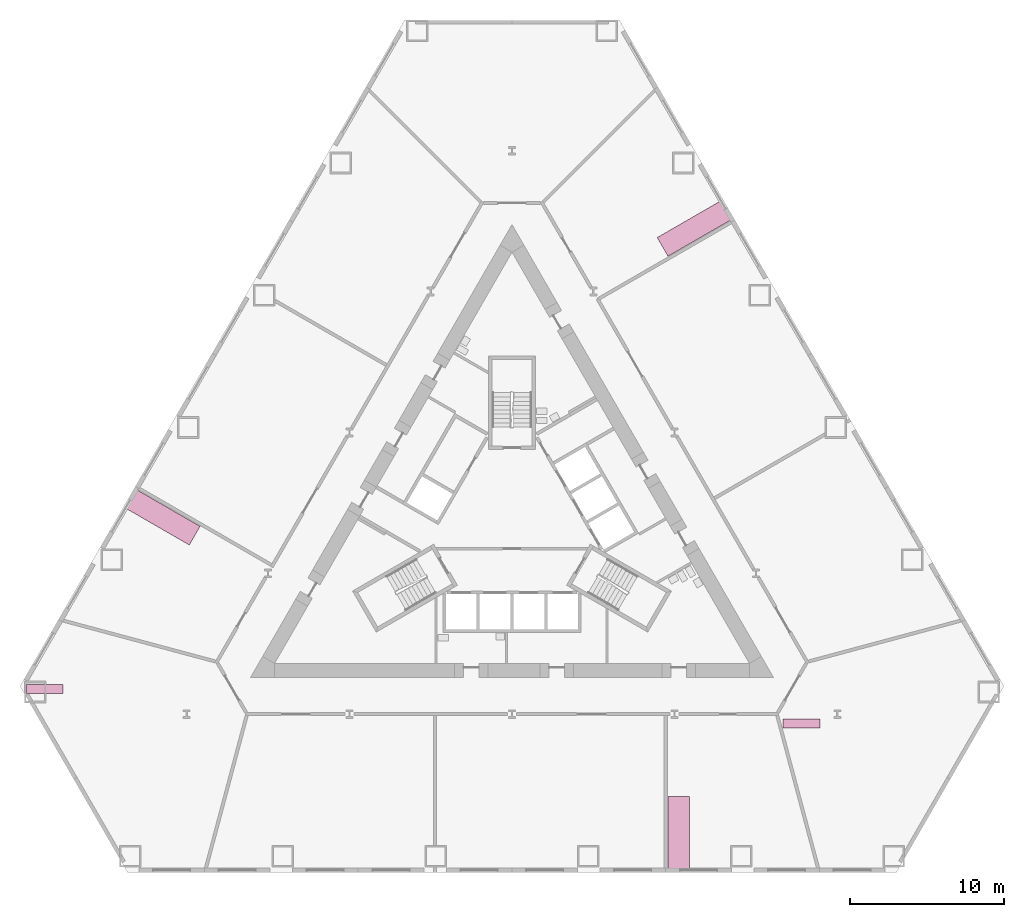
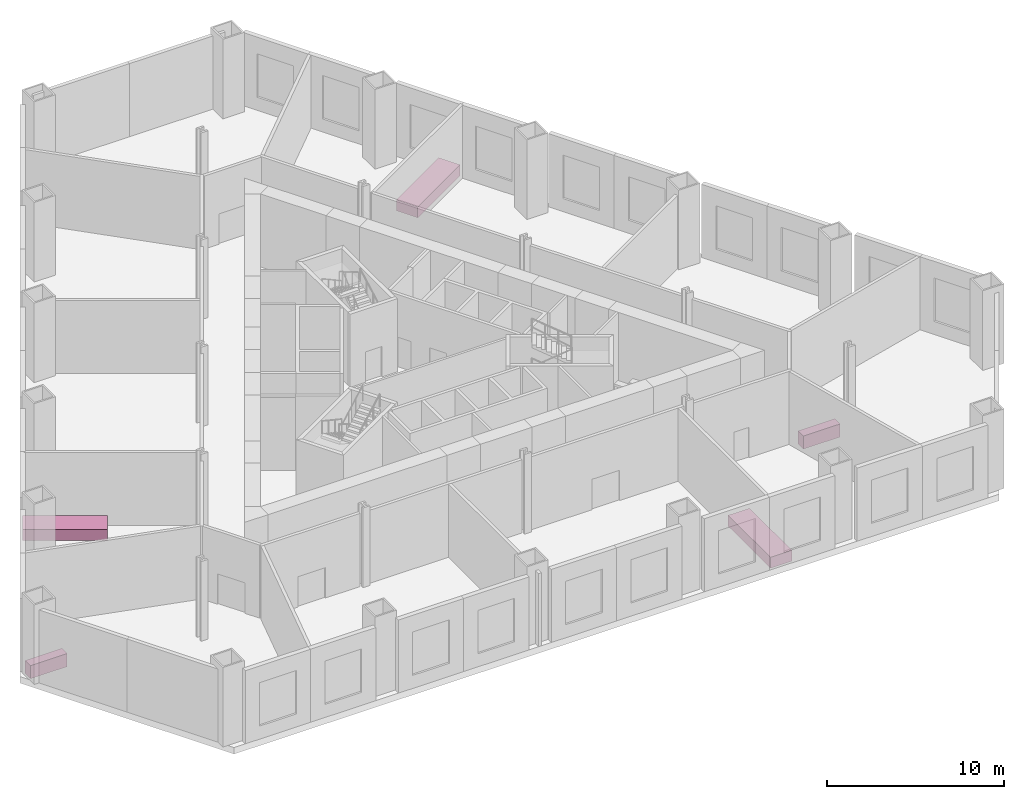
# One storey, part 9 of 9: 5 furniture elements.
"""IFC4 building model written with IfcOpenShell, lengths in metres."""

from ifc_helpers import new_model, si_unit, direction, frame, origin, origin_2d, place, context, subcontext, project, spatial, rectangle, extrude, material, type_object, element, save


model = new_model("IFC4")

# Units and contexts
model_context = context("Model", 3, precision=1e-05, world=origin(), true_north=direction((0.0, 1.0)))
body_context = subcontext(model_context, "Body", "Model", "MODEL_VIEW")
ifc_project = project(units=[si_unit("LENGTHUNIT", "METRE"), si_unit("AREAUNIT", "SQUARE_METRE"), si_unit("VOLUMEUNIT", "CUBIC_METRE"), si_unit("PLANEANGLEUNIT", "RADIAN"), si_unit("MASSUNIT", "GRAM", prefix="KILO")], contexts=[model_context])

# Site, building, storey
site_placement = place(None, origin())
site = spatial("IfcSite", under=ifc_project, at=site_placement, CompositionType="ELEMENT")
building_placement = place(site_placement, origin())
building = spatial("IfcBuilding", under=site, at=building_placement, Name="Cormorant Prow Tower", CompositionType="ELEMENT")
storey_placement = place(building_placement, frame((0.0, 0.0, 15.5)))
storey = spatial("IfcBuildingStorey", under=building, at=storey_placement, Name="L02", CompositionType="ELEMENT", Elevation=15.5)

# Furniture
ifc_material_1 = material(Name="Timber joinery", Category="wood")
furniture_type_1 = type_object("IfcFurnitureType", Name="Conference table 4800x1400", AssemblyPlace="NOTDEFINED", PredefinedType="TABLE", material=ifc_material_1)
for number, where, z_axis, x_axis, name in (
    (1, (10.844970703125, -19.9716796875, 0.0), (0.0, 0.0, 1.0), (0.0, 1.0, 0.0), "Conference table"),
    (2, (11.87353515625, 19.3779296875, 0.0), (0.0, 0.0, 1.0), (-0.866025403784, -0.5, 0.0), "Conference table"),
    (3, (-22.718505859375, 0.59375, 0.0), (0.0, 0.0, 1.0), (0.866025403784, -0.5, 0.0), "Conference table"),
):
    element("IfcFurniture", number, at=place(storey_placement, frame(where, z_axis=z_axis, x_axis=x_axis)), inside=storey, type_object=furniture_type_1, Name=name, PredefinedType="TABLE", context=body_context, shape_type="SweptSolid", body=[
        extrude(rectangle(XDim=4.800048828125, YDim=1.39990234375, at=origin_2d()), origin(), (0.0, 0.0, 1.0), 0.75),
    ])
ifc_material_2 = material(Name="Timber joinery", Category="wood")
furniture_type_2 = type_object("IfcFurnitureType", Name="Kitchen counter 2400x600", AssemblyPlace="NOTDEFINED", PredefinedType="NOTDEFINED", material=ifc_material_2)
for number, where, z_axis, x_axis, name in (
    (4, (18.832763671875, -12.82177734375, 0.0), (0.0, 0.0, 1.0), (1.0, 0.0, 0.0), "Kitchen counter"),
    (5, (-30.390380859375, -10.57177734375, 0.0), (0.0, 0.0, 1.0), (1.0, 0.0, 0.0), "Kitchen counter"),
):
    element("IfcFurniture", number, at=place(storey_placement, frame(where, z_axis=z_axis, x_axis=x_axis)), inside=storey, type_object=furniture_type_2, Name=name, PredefinedType="NOTDEFINED", context=body_context, shape_type="SweptSolid", body=[
        extrude(rectangle(XDim=2.39990234375, YDim=0.60009765625, at=origin_2d()), origin(), (0.0, 0.0, 1.0), 0.89990234375),
    ])

save(model, "model.ifc")
